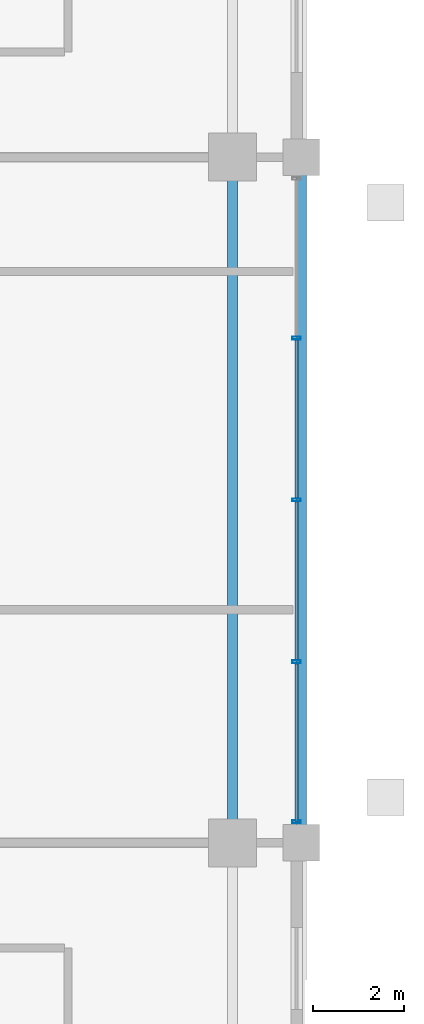
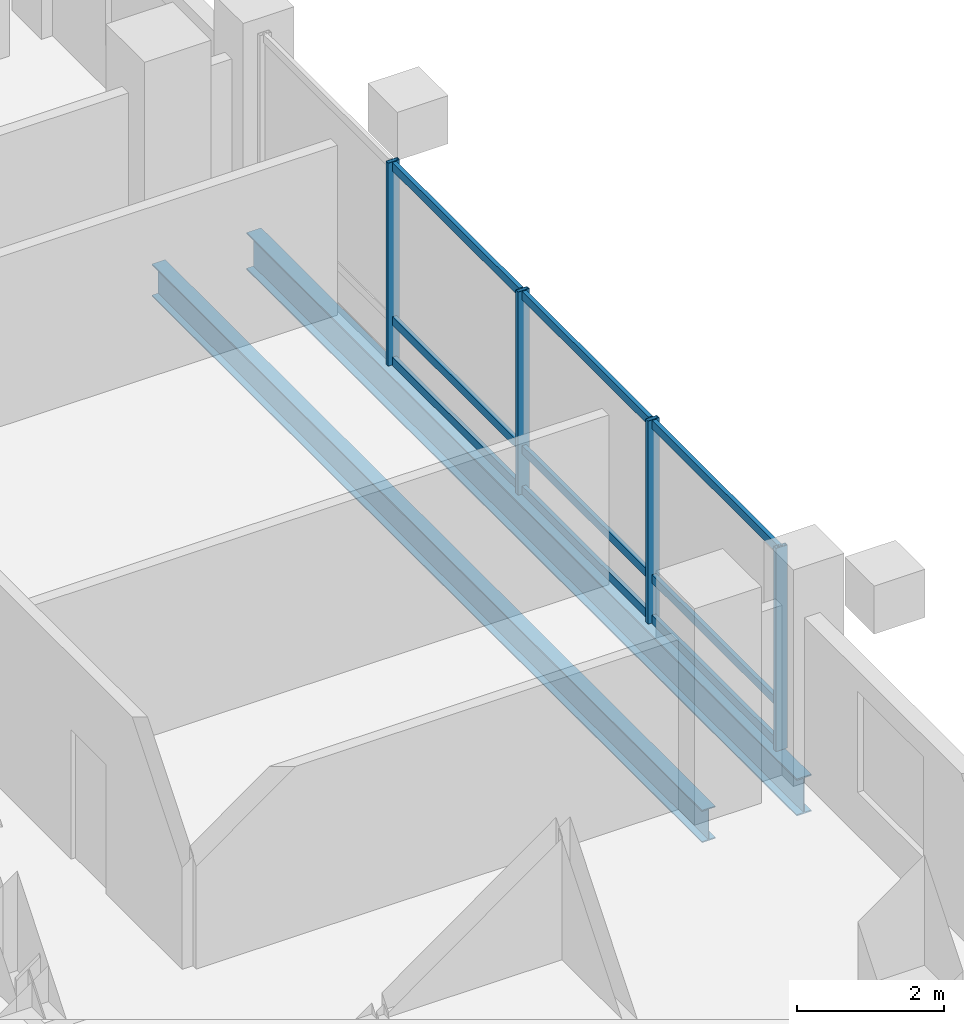
# One storey, part 10 of 24: 13 members, 2 beams, 1 element without a shape of its own.
"""IFC4 building model written with IfcOpenShell, lengths in metres."""

from ifc_helpers import new_model, si_unit, direction, frame, origin, origin_2d, place, context, subcontext, project, spatial, hollow_rectangle, i_section, extrude, material, layer, layer_set, material_profile, profile_set, type_object, element, aggregate, save


model = new_model("IFC4")

# Units and contexts
model_context = context("Model", 3, precision=1e-05, world=origin(), true_north=direction((0.0, 1.0)))
body_context = subcontext(model_context, "Body", "Model", "MODEL_VIEW")
ifc_project = project(units=[si_unit("LENGTHUNIT", "METRE"), si_unit("AREAUNIT", "SQUARE_METRE"), si_unit("VOLUMEUNIT", "CUBIC_METRE"), si_unit("PLANEANGLEUNIT", "RADIAN"), si_unit("MASSUNIT", "GRAM", prefix="KILO")], contexts=[model_context])

# Site, building, storey
site_placement = place(None, origin())
site = spatial("IfcSite", under=ifc_project, at=site_placement, CompositionType="ELEMENT")
building_placement = place(site_placement, origin())
building = spatial("IfcBuilding", under=site, at=building_placement, Name="Barlavira Tower and Art Museum", CompositionType="ELEMENT")
storey_placement = place(building_placement, frame((0.0, 0.0, 190.800048828125)))
storey = spatial("IfcBuildingStorey", under=building, at=storey_placement, Name="L49", CompositionType="ELEMENT", Elevation=190.800048828125)

# Curtain wall, members
ifc_material_1 = material(Name="Low-iron coastal laminated glass", Category="glass")
ifc_layer = layer(ifc_material_1, 0.199951171875, Name="Low-iron coastal laminated glass")
ifc_layer_set = layer_set([ifc_layer], Name="Low-iron coastal laminated glass")
curtain_wall_type = type_object("IfcCurtainWallType", Name="Pale-Metal Unitised Curtain Wall Zone 3", PredefinedType="NOTDEFINED", material=ifc_layer_set)
curtain_wall_placement = place(storey_placement, origin())
curtain_wall = element("IfcCurtainWall", 1, at=curtain_wall_placement, inside=storey, type_object=curtain_wall_type, Name="L49 Curtain Wall CW3-L49-E-B3", PredefinedType="NOTDEFINED")
ifc_material_2 = material(Name="Pale anodised aluminium", Category="aluminium")
ifc_material_profile_1 = material_profile(ifc_material_2, hollow_rectangle(XDim=0.06494140625, YDim=0.179931640625, WallThickness=0.00390625, at=origin_2d()), Name="ALU-MULL 65x180x4")
ifc_profile_set_1 = profile_set([ifc_material_profile_1], Name="Pale anodised aluminium")
member_type_1 = type_object("IfcMemberType", Name="Curtain Wall Pale-Metal Mullion 65x180", PredefinedType="MULLION", material=ifc_profile_set_1)
member_1_placement = place(storey_placement, frame((18.39990234375, -7.034912109375, 0.0), z_axis=(0.0, 0.0, 1.0), x_axis=(0.0, 1.0, 0.0)))
member_1 = element("IfcMember", 2, at=member_1_placement, type_object=member_type_1, Name="CW3-L49-E-B3 Mullion 0", PredefinedType="MULLION", context=body_context, shape_type="SweptSolid", body=[
    extrude(hollow_rectangle(XDim=0.06494140625, YDim=0.179931640625, WallThickness=0.00390625, at=origin_2d()), origin(), (0.0, 0.0, 1.0), 3.3798828125),
])
member_2_placement = place(storey_placement, frame((18.39990234375, -3.5400390625, 0.0), z_axis=(0.0, 0.0, 1.0), x_axis=(0.0, 1.0, 0.0)))
member_2 = element("IfcMember", 3, at=member_2_placement, type_object=member_type_1, Name="CW3-L49-E-B3 Mullion 1", PredefinedType="MULLION", context=body_context, shape_type="SweptSolid", body=[
    extrude(hollow_rectangle(XDim=0.06494140625, YDim=0.179931640625, WallThickness=0.00390625, at=origin_2d()), origin(), (0.0, 0.0, 1.0), 3.3798828125),
])
member_3_placement = place(storey_placement, frame((18.39990234375, 0.0, 0.0), z_axis=(0.0, 0.0, 1.0), x_axis=(0.0, 1.0, 0.0)))
member_3 = element("IfcMember", 4, at=member_3_placement, type_object=member_type_1, Name="CW3-L49-E-B3 Mullion 2", PredefinedType="MULLION", context=body_context, shape_type="SweptSolid", body=[
    extrude(hollow_rectangle(XDim=0.06494140625, YDim=0.179931640625, WallThickness=0.00390625, at=origin_2d()), origin(), (0.0, 0.0, 1.0), 3.3798828125),
])
member_4_placement = place(storey_placement, frame((18.39990234375, 3.5400390625, 0.0), z_axis=(0.0, 0.0, 1.0), x_axis=(0.0, 1.0, 0.0)))
member_4 = element("IfcMember", 5, at=member_4_placement, type_object=member_type_1, Name="CW3-L49-E-B3 Mullion 3", PredefinedType="MULLION", context=body_context, shape_type="SweptSolid", body=[
    extrude(hollow_rectangle(XDim=0.06494140625, YDim=0.179931640625, WallThickness=0.00390625, at=origin_2d()), origin(), (0.0, 0.0, 1.0), 3.3798828125),
])
ifc_material_profile_2 = material_profile(ifc_material_2, hollow_rectangle(XDim=0.06494140625, YDim=0.139892578125, WallThickness=0.00390625, at=origin_2d()), Name="ALU-TRAN 65x140x4")
ifc_profile_set_2 = profile_set([ifc_material_profile_2], Name="Pale anodised aluminium")
member_type_2 = type_object("IfcMemberType", Name="Curtain Wall Pale-Metal Transom 65x140", PredefinedType="USERDEFINED", material=ifc_profile_set_2)
member_5_placement = place(storey_placement, frame((18.39990234375, -7.034912109375, 0.070068359375), z_axis=(0.0, 1.0, 0.0), x_axis=(-1.0, 0.0, 0.0)))
member_5 = element("IfcMember", 6, at=member_5_placement, type_object=member_type_2, Name="CW3-L49-E-B3 Transom 0.1", ObjectType="TRANSOM", PredefinedType="USERDEFINED", context=body_context, shape_type="SweptSolid", body=[
    extrude(hollow_rectangle(XDim=0.06494140625, YDim=0.139892578125, WallThickness=0.00390625, at=origin_2d()), origin(), (0.0, 0.0, 1.0), 3.449951171875),
])
member_6_placement = place(storey_placement, frame((18.39990234375, -7.034912109375, 0.743896484375), z_axis=(0.0, 1.0, 0.0), x_axis=(-1.0, 0.0, 0.0)))
member_6 = element("IfcMember", 7, at=member_6_placement, type_object=member_type_2, Name="CW3-L49-E-B3 Transom 0.2", ObjectType="TRANSOM", PredefinedType="USERDEFINED", context=body_context, shape_type="SweptSolid", body=[
    extrude(hollow_rectangle(XDim=0.06494140625, YDim=0.139892578125, WallThickness=0.00390625, at=origin_2d()), origin(), (0.0, 0.0, 1.0), 3.449951171875),
])
member_7_placement = place(storey_placement, frame((18.39990234375, -7.034912109375, 3.31005859375), z_axis=(0.0, 1.0, 0.0), x_axis=(-1.0, 0.0, 0.0)))
member_7 = element("IfcMember", 8, at=member_7_placement, type_object=member_type_2, Name="CW3-L49-E-B3 Transom 0.3", ObjectType="TRANSOM", PredefinedType="USERDEFINED", context=body_context, shape_type="SweptSolid", body=[
    extrude(hollow_rectangle(XDim=0.06494140625, YDim=0.139892578125, WallThickness=0.00390625, at=origin_2d()), origin(), (0.0, 0.0, 1.0), 3.449951171875),
])
member_8_placement = place(storey_placement, frame((18.39990234375, -3.4951171875, 0.070068359375), z_axis=(0.0, 1.0, 0.0), x_axis=(-1.0, 0.0, 0.0)))
member_8 = element("IfcMember", 9, at=member_8_placement, type_object=member_type_2, Name="CW3-L49-E-B3 Transom 1.1", ObjectType="TRANSOM", PredefinedType="USERDEFINED", context=body_context, shape_type="SweptSolid", body=[
    extrude(hollow_rectangle(XDim=0.06494140625, YDim=0.139892578125, WallThickness=0.00390625, at=origin_2d()), origin(), (0.0, 0.0, 1.0), 3.4501953125),
])
member_9_placement = place(storey_placement, frame((18.39990234375, -3.4951171875, 0.743896484375), z_axis=(0.0, 1.0, 0.0), x_axis=(-1.0, 0.0, 0.0)))
member_9 = element("IfcMember", 10, at=member_9_placement, type_object=member_type_2, Name="CW3-L49-E-B3 Transom 1.2", ObjectType="TRANSOM", PredefinedType="USERDEFINED", context=body_context, shape_type="SweptSolid", body=[
    extrude(hollow_rectangle(XDim=0.06494140625, YDim=0.139892578125, WallThickness=0.00390625, at=origin_2d()), origin(), (0.0, 0.0, 1.0), 3.4501953125),
])
member_10_placement = place(storey_placement, frame((18.39990234375, -3.4951171875, 3.31005859375), z_axis=(0.0, 1.0, 0.0), x_axis=(-1.0, 0.0, 0.0)))
member_10 = element("IfcMember", 11, at=member_10_placement, type_object=member_type_2, Name="CW3-L49-E-B3 Transom 1.3", ObjectType="TRANSOM", PredefinedType="USERDEFINED", context=body_context, shape_type="SweptSolid", body=[
    extrude(hollow_rectangle(XDim=0.06494140625, YDim=0.139892578125, WallThickness=0.00390625, at=origin_2d()), origin(), (0.0, 0.0, 1.0), 3.4501953125),
])
member_11_placement = place(storey_placement, frame((18.39990234375, 0.044921875, 0.070068359375), z_axis=(0.0, 1.0, 0.0), x_axis=(-1.0, 0.0, 0.0)))
member_11 = element("IfcMember", 12, at=member_11_placement, type_object=member_type_2, Name="CW3-L49-E-B3 Transom 2.1", ObjectType="TRANSOM", PredefinedType="USERDEFINED", context=body_context, shape_type="SweptSolid", body=[
    extrude(hollow_rectangle(XDim=0.06494140625, YDim=0.139892578125, WallThickness=0.00390625, at=origin_2d()), origin(), (0.0, 0.0, 1.0), 3.4501953125),
])
member_12_placement = place(storey_placement, frame((18.39990234375, 0.044921875, 0.743896484375), z_axis=(0.0, 1.0, 0.0), x_axis=(-1.0, 0.0, 0.0)))
member_12 = element("IfcMember", 13, at=member_12_placement, type_object=member_type_2, Name="CW3-L49-E-B3 Transom 2.2", ObjectType="TRANSOM", PredefinedType="USERDEFINED", context=body_context, shape_type="SweptSolid", body=[
    extrude(hollow_rectangle(XDim=0.06494140625, YDim=0.139892578125, WallThickness=0.00390625, at=origin_2d()), origin(), (0.0, 0.0, 1.0), 3.4501953125),
])
member_13_placement = place(storey_placement, frame((18.39990234375, 0.044921875, 3.31005859375), z_axis=(0.0, 1.0, 0.0), x_axis=(-1.0, 0.0, 0.0)))
member_13 = element("IfcMember", 14, at=member_13_placement, type_object=member_type_2, Name="CW3-L49-E-B3 Transom 2.3", ObjectType="TRANSOM", PredefinedType="USERDEFINED", context=body_context, shape_type="SweptSolid", body=[
    extrude(hollow_rectangle(XDim=0.06494140625, YDim=0.139892578125, WallThickness=0.00390625, at=origin_2d()), origin(), (0.0, 0.0, 1.0), 3.4501953125),
])
aggregate(curtain_wall, [member_1, member_2, member_3, member_4, member_5, member_6, member_7, member_8, member_9, member_10, member_11, member_12, member_13])

# Beams
ifc_material_3 = material(Name="Steel S355", Category="steel")
ifc_material_profile_3 = material_profile(ifc_material_3, i_section(OverallWidth=0.22998046875, OverallDepth=0.616943359375, WebThickness=0.01318359375, FlangeThickness=0.022216796875, at=origin_2d()), Name="W610x140.0")
ifc_profile_set_3 = profile_set([ifc_material_profile_3], Name="Steel S355")
beam_type_1 = type_object("IfcBeamType", Name="Upper Shaft Spandrel Edge Beam W610x140 Steel S355", PredefinedType="SPANDREL", material=ifc_profile_set_3)
beam_1_placement = place(storey_placement, frame((18.5, -7.5, -0.528564453125), z_axis=(0.0, 1.0, 0.0), x_axis=(-1.0, 0.0, 0.0)))
element("IfcBeam", 15, at=beam_1_placement, inside=storey, type_object=beam_type_1, Name="L49 Spandrel 6", PredefinedType="SPANDREL", context=body_context, shape_type="SweptSolid", body=[
    extrude(i_section(OverallWidth=0.22998046875, OverallDepth=0.616943359375, WebThickness=0.01318359375, FlangeThickness=0.022216796875, at=origin_2d()), origin(), (0.0, 0.0, 1.0), 15.0),
])
ifc_material_profile_4 = material_profile(ifc_material_3, i_section(OverallWidth=0.2109375, OverallDepth=0.5390625, WebThickness=0.01171875, FlangeThickness=0.018798828125, at=origin_2d()), Name="W530x109.0")
ifc_profile_set_4 = profile_set([ifc_material_profile_4], Name="Steel S355")
beam_type_2 = type_object("IfcBeamType", Name="Zone 3-4 Primary Floor Girder W530x109 Steel S355", PredefinedType="BEAM", material=ifc_profile_set_4)
beam_2_placement = place(storey_placement, frame((17.0, -7.5, -0.489501953125), z_axis=(0.0, 1.0, 0.0), x_axis=(-1.0, 0.0, 0.0)))
element("IfcBeam", 16, at=beam_2_placement, inside=storey, type_object=beam_type_2, Name="L49 Girder M-E2", PredefinedType="BEAM", context=body_context, shape_type="SweptSolid", body=[
    extrude(i_section(OverallWidth=0.2109375, OverallDepth=0.5390625, WebThickness=0.01171875, FlangeThickness=0.018798828125, at=origin_2d()), origin(), (0.0, 0.0, 1.0), 15.0),
])

save(model, "model.ifc")
